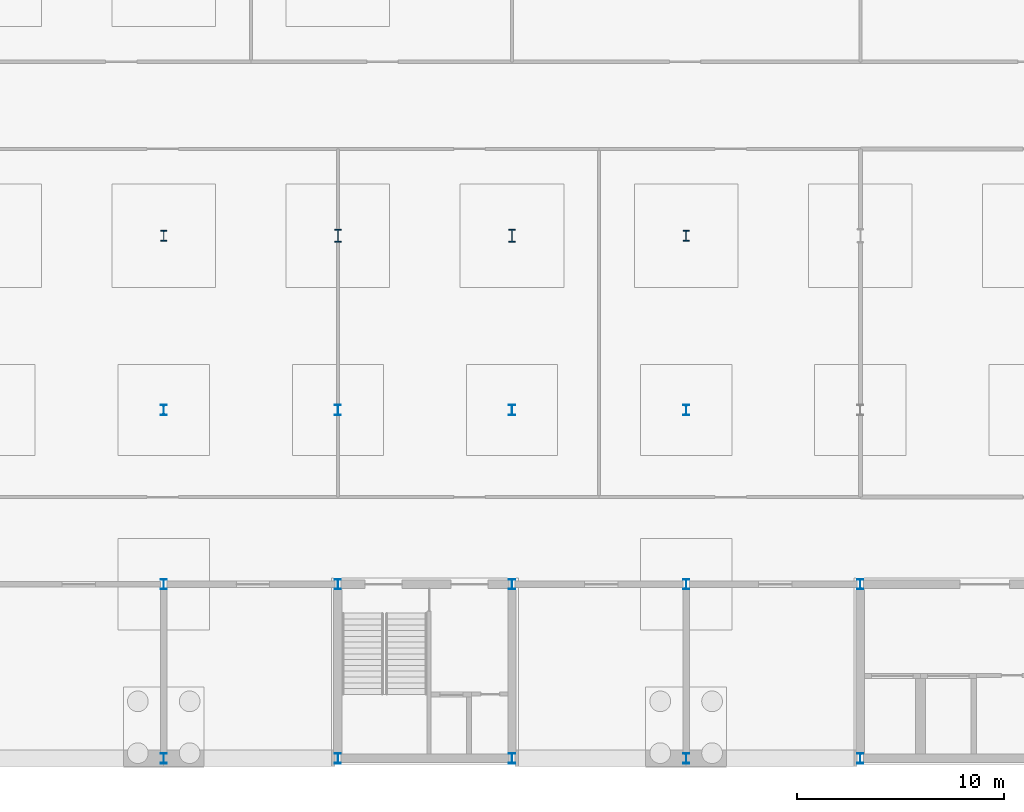
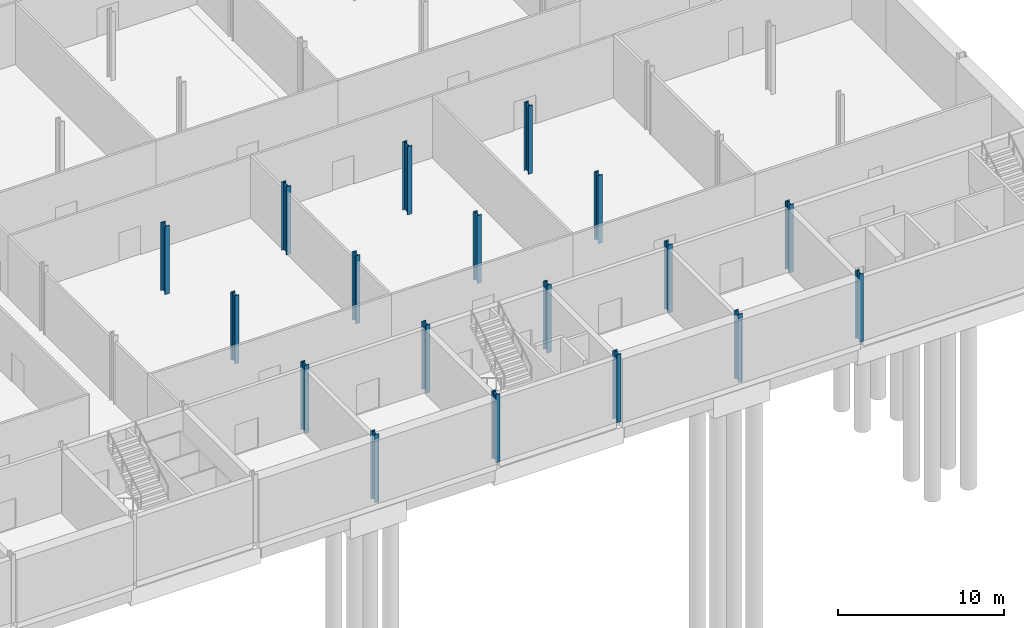
# One storey, part 7 of 22: 18 columns.
"""IFC4 building model written with IfcOpenShell, lengths in metres."""

import ifcopenshell
import ifcopenshell.guid

model = None  # the IFC model being written
_history = None  # IfcOwnerHistory: only IFC2X3 demands one
_inside = {}  # id of a spatial element -> (the spatial element, [elements in it])
_under = {}  # id of a project, library or spatial element -> (it, [spatial elements below it])
_declared = {}  # id of a project -> (the project, [libraries it declares])
_typed = {}  # id of a type object -> (the type object, [elements of that type])
_made_of = {}  # id of a material, layer set ... -> (it, [elements and type objects made of it])


def new_model(schema):
    """Start an empty IFC model of exactly this schema.

    Asked for "IFC4X3", IfcOpenShell would pick the latest addendum, in which some entities
    have other attributes; the version numbers below select the first issue.
    IFC2X3 requires an IfcOwnerHistory on every rooted entity: one is made here for all.
    """
    global model, _history
    if schema == "IFC4X3":
        model = ifcopenshell.file(schema_version=(4, 3, 0, 0))
    else:
        model = ifcopenshell.file(schema=schema)
    _inside.clear()
    _under.clear()
    _declared.clear()
    _typed.clear()
    _made_of.clear()
    _history = None
    if model.schema == "IFC2X3":
        org = make("IfcOrganization", Name="unknown")
        user = make(
            "IfcPersonAndOrganization",
            ThePerson=make("IfcPerson", FamilyName="unknown"),
            TheOrganization=org,
        )
        app = make(
            "IfcApplication",
            ApplicationDeveloper=org,
            Version="unknown",
            ApplicationFullName="unknown",
            ApplicationIdentifier="unknown",
        )
        _history = make(
            "IfcOwnerHistory",
            OwningUser=user,
            OwningApplication=app,
            ChangeAction="ADDED",
            CreationDate=0,
        )
    return model


def make(cls, **values):
    """One entity of the class cls with the attributes given. An attribute that is None is left unset."""
    return model.create_entity(
        cls, **{name: value for name, value in values.items() if value is not None}
    )


def rooted(cls, **values):
    """An entity with a GlobalId (a new one), such as an element, a storey or a relation."""
    return make(cls, GlobalId=ifcopenshell.guid.new(), OwnerHistory=_history, **values)


def si_unit(unit_type, name, prefix=None):
    """IfcSIUnit, for example si_unit("LENGTHUNIT", "METRE", prefix="MILLI")."""
    return make("IfcSIUnit", UnitType=unit_type, Prefix=prefix, Name=name)


def assignment(units):
    """IfcUnitAssignment: the units of a project."""
    return None if units is None else make("IfcUnitAssignment", Units=units)


def point(xyz):
    """IfcCartesianPoint."""
    return None if xyz is None else make("IfcCartesianPoint", Coordinates=xyz)


def direction(xyz):
    """IfcDirection."""
    return None if xyz is None else make("IfcDirection", DirectionRatios=xyz)


def frame(location, z_axis=None, x_axis=None):
    """IfcAxis2Placement3D, a coordinate frame: its origin and axes. An axis left out is left unset."""
    return make(
        "IfcAxis2Placement3D",
        Location=point(location),
        Axis=direction(z_axis),
        RefDirection=direction(x_axis),
    )


def frame_2d(location, x_axis=None):
    """IfcAxis2Placement2D, a coordinate frame in the plane: its origin and x axis."""
    return make(
        "IfcAxis2Placement2D", Location=point(location), RefDirection=direction(x_axis)
    )


def origin():
    """The frame at (0, 0, 0) with its axes left unset."""
    return frame((0.0, 0.0, 0.0))


def origin_2d():
    """The frame at (0, 0) in the plane with its x axis left unset."""
    return frame_2d((0.0, 0.0))


def place(relative_to, where):
    """IfcLocalPlacement: puts the frame where relative to a parent placement (None: the world)."""
    return make(
        "IfcLocalPlacement", PlacementRelTo=relative_to, RelativePlacement=where
    )


def context(
    kind, dimensions, precision=None, world=None, true_north=None, identifier=None
):
    """IfcGeometricRepresentationContext, for example the 3D "Model" context."""
    return make(
        "IfcGeometricRepresentationContext",
        ContextIdentifier=identifier,
        ContextType=kind,
        CoordinateSpaceDimension=dimensions,
        Precision=precision,
        WorldCoordinateSystem=world,
        TrueNorth=true_north,
    )


def subcontext(parent, identifier, kind, view, scale=None):
    """IfcGeometricRepresentationSubContext, for example "Body" below "Model"."""
    return make(
        "IfcGeometricRepresentationSubContext",
        ContextIdentifier=identifier,
        ContextType=kind,
        ParentContext=parent,
        TargetScale=scale,
        TargetView=view,
    )


def project(units=None, contexts=None):
    """IfcProject with its units and contexts."""
    return rooted(
        "IfcProject",
        Name="project",
        RepresentationContexts=contexts,
        UnitsInContext=assignment(units),
    )


def spatial(cls, under=None, at=None, **own):
    """A site, building, storey or space (cls), placed at a placement, below another one or the project."""
    s = rooted(cls, ObjectPlacement=at, **own)
    if under is not None:
        _under.setdefault(under.id(), (under, []))[1].append(s)
    return s


def profile(cls, at=None, kind="AREA", **sizes):
    """A parametric profile (cls). Its sizes go by their IFC names, for example OverallWidth=200.0."""
    return make(cls, ProfileType=kind, Position=at, **sizes)


def i_section(**sizes):
    """IfcIShapeProfileDef."""
    return profile("IfcIShapeProfileDef", **sizes)


def extrude(swept, where, along, depth):
    """IfcExtrudedAreaSolid: the profile swept, set in the frame where, extruded along a direction by depth."""
    return make(
        "IfcExtrudedAreaSolid",
        SweptArea=swept,
        Position=where,
        ExtrudedDirection=direction(along),
        Depth=depth,
    )


def shape(context_of_items, identifier, shape_type, items):
    """IfcShapeRepresentation: the items that make up one representation, for example the "Body"."""
    return make(
        "IfcShapeRepresentation",
        ContextOfItems=context_of_items,
        RepresentationIdentifier=identifier,
        RepresentationType=shape_type,
        Items=items,
    )


def material(Name=None, Category=None):
    """IfcMaterial."""
    return make("IfcMaterial", Name=Name, Category=Category)


def material_profile(
    of_material, cross_section, Name=None, Category=None, Priority=None
):
    """IfcMaterialProfile: a cross section and its material."""
    return make(
        "IfcMaterialProfile",
        Name=Name,
        Material=of_material,
        Profile=cross_section,
        Priority=Priority,
        Category=Category,
    )


def profile_set(profiles, Name=None, composite=None):
    """IfcMaterialProfileSet."""
    return make(
        "IfcMaterialProfileSet",
        Name=Name,
        MaterialProfiles=profiles,
        CompositeProfile=composite,
    )


def made_of(thing, what):
    """Note that an element or type object is made of a material, layer set ...; save() writes the relation."""
    if what is not None:
        _made_of.setdefault(what.id(), (what, []))[1].append(thing)
    return thing


def type_object(cls, material=None, **own):
    """A type object (cls), such as IfcWallType, which elements share."""
    return made_of(rooted(cls, **own), material)


def element(
    cls,
    number,
    at=None,
    inside=None,
    cuts=None,
    type_object=None,
    material=None,
    context=None,
    identifier="Body",
    shape_type=None,
    held_by="IfcProductDefinitionShape",
    body=None,
    shapes=None,
    **own,
):
    """One element of the class cls, such as IfcWall. Its Tag is "e" and its number.

    at: its placement. inside: the storey or other place that contains it. cuts: it is an
    opening in that element (IfcRelVoidsElement). A single representation is given by context,
    identifier, shape_type and body (its items); several are given by shapes. held_by: the class
    of the entity that holds the representations. save() writes the other relations.
    """
    e = rooted(cls, Tag="e%d" % number, ObjectPlacement=at, **own)
    if body is not None:
        shapes = [shape(context, identifier, shape_type, body)]
    if shapes is not None:
        e.Representation = make(held_by, Representations=shapes)
    if inside is not None:
        _inside.setdefault(inside.id(), (inside, []))[1].append(e)
    if cuts is not None:
        rooted(
            "IfcRelVoidsElement", RelatingBuildingElement=cuts, RelatedOpeningElement=e
        )
    if type_object is not None:
        _typed.setdefault(type_object.id(), (type_object, []))[1].append(e)
    return made_of(e, material)


def aggregate(whole, parts):
    """IfcRelAggregates: a whole, such as a stair, and the parts it consists of."""
    return rooted("IfcRelAggregates", RelatingObject=whole, RelatedObjects=parts)


def save(model, path):
    """Write the relations noted so far, then the file.

    IfcRelAggregates (storeys below a building ...), IfcRelContainedInSpatialStructure (elements
    in a storey), IfcRelDefinesByType, IfcRelAssociatesMaterial and IfcRelDeclares: one each for
    every whole, place, type object, material and project.
    """
    for whole, parts in _under.values():
        aggregate(whole, parts)
    for where, things in _inside.values():
        rooted(
            "IfcRelContainedInSpatialStructure",
            RelatedElements=things,
            RelatingStructure=where,
        )
    for kind, things in _typed.values():
        rooted("IfcRelDefinesByType", RelatedObjects=things, RelatingType=kind)
    for what, things in _made_of.values():
        rooted("IfcRelAssociatesMaterial", RelatedObjects=things, RelatingMaterial=what)
    for by, libraries in _declared.values():
        rooted("IfcRelDeclares", RelatingContext=by, RelatedDefinitions=libraries)
    model.write(path)


model = new_model("IFC4")

# Units and contexts
model_context = context("Model", 3, precision=1e-05, world=origin(), true_north=direction((0.0, 1.0)))
body_context = subcontext(model_context, "Body", "Model", "MODEL_VIEW")
ifc_project = project(units=[si_unit("LENGTHUNIT", "METRE"), si_unit("AREAUNIT", "SQUARE_METRE"), si_unit("VOLUMEUNIT", "CUBIC_METRE"), si_unit("PLANEANGLEUNIT", "RADIAN"), si_unit("MASSUNIT", "GRAM", prefix="KILO")], contexts=[model_context])

# Site, building, storey
site_placement = place(None, origin())
site = spatial("IfcSite", under=ifc_project, at=site_placement, CompositionType="ELEMENT")
building_placement = place(site_placement, origin())
building = spatial("IfcBuilding", under=site, at=building_placement, Name="Galleria Vessillo Department Store", CompositionType="ELEMENT")
storey_placement = place(building_placement, frame((0.0, 0.0, -9.89990234375)))
storey = spatial("IfcBuildingStorey", under=building, at=storey_placement, Name="B2", CompositionType="ELEMENT", Elevation=-9.89990234375)

# Columns
ifc_material_1 = material(Name="Steel S355 J2", Category="steel")
ifc_material_profile_1 = material_profile(ifc_material_1, i_section(OverallWidth=0.300048828125, OverallDepth=0.5, WebThickness=0.014404296875, FlangeThickness=0.028076171875, FilletRadius=0.027099609375, at=origin_2d()), Name="HEB 500")
ifc_profile_set_1 = profile_set([ifc_material_profile_1], Name="Steel S355 J2")
column_type_1 = type_object("IfcColumnType", Name="Steel column HEB 500 CP1", PredefinedType="COLUMN", material=ifc_profile_set_1)
for number, where, z_axis, x_axis, name in (
    (1, (67.199951171875, 0.0, 0.0), (0.0, 0.0, 1.0), (1.0, 0.0, 0.0), "S-COL-B2-9-A"),
    (2, (67.199951171875, 8.39990234375, 0.0), (0.0, 0.0, 1.0), (1.0, 0.0, 0.0), "S-COL-B2-9-B"),
    (3, (67.199951171875, 16.800048828125, 0.0), (0.0, 0.0, 1.0), (1.0, 0.0, 0.0), "S-COL-B2-9-C"),
    (4, (75.60009765625, 0.0, 0.0), (0.0, 0.0, 1.0), (1.0, 0.0, 0.0), "S-COL-B2-10-A"),
    (5, (75.60009765625, 8.39990234375, 0.0), (0.0, 0.0, 1.0), (1.0, 0.0, 0.0), "S-COL-B2-10-B"),
    (6, (75.60009765625, 16.800048828125, 0.0), (0.0, 0.0, 1.0), (1.0, 0.0, 0.0), "S-COL-B2-10-C"),
    (7, (84.0, 0.0, 0.0), (0.0, 0.0, 1.0), (1.0, 0.0, 0.0), "S-COL-B2-11-A"),
    (8, (84.0, 8.39990234375, 0.0), (0.0, 0.0, 1.0), (1.0, 0.0, 0.0), "S-COL-B2-11-B"),
    (9, (84.0, 16.800048828125, 0.0), (0.0, 0.0, 1.0), (1.0, 0.0, 0.0), "S-COL-B2-11-C"),
    (10, (92.39990234375, 0.0, 0.0), (0.0, 0.0, 1.0), (1.0, 0.0, 0.0), "S-COL-B2-12-A"),
    (11, (92.39990234375, 8.39990234375, 0.0), (0.0, 0.0, 1.0), (1.0, 0.0, 0.0), "S-COL-B2-12-B"),
    (12, (92.39990234375, 16.800048828125, 0.0), (0.0, 0.0, 1.0), (1.0, 0.0, 0.0), "S-COL-B2-12-C"),
    (13, (100.800048828125, 0.0, 0.0), (0.0, 0.0, 1.0), (1.0, 0.0, 0.0), "S-COL-B2-13-A"),
    (14, (100.800048828125, 8.39990234375, 0.0), (0.0, 0.0, 1.0), (1.0, 0.0, 0.0), "S-COL-B2-13-B"),
):
    element("IfcColumn", number, at=place(storey_placement, frame(where, z_axis=z_axis, x_axis=x_axis)), inside=storey, type_object=column_type_1, Name=name, PredefinedType="COLUMN", context=body_context, shape_type="SweptSolid", body=[
        extrude(i_section(OverallWidth=0.300048828125, OverallDepth=0.5, WebThickness=0.014404296875, FlangeThickness=0.028076171875, FilletRadius=0.027099609375, at=origin_2d()), origin(), (0.0, 0.0, 1.0), 5.0),
    ])
ifc_material_2 = material(Name="Steel S355 J2", Category="steel")
ifc_material_profile_2 = material_profile(ifc_material_2, i_section(OverallWidth=0.305908203125, OverallDepth=0.52392578125, WebThickness=0.02099609375, FlangeThickness=0.0400390625, FilletRadius=0.027099609375, at=origin_2d()), Name="HEM 500")
ifc_profile_set_2 = profile_set([ifc_material_profile_2], Name="Steel S355 J2")
column_type_2 = type_object("IfcColumnType", Name="Steel column HEM 500 CV1", PredefinedType="COLUMN", material=ifc_profile_set_2)
for number, where, z_axis, x_axis, name in (
    (15, (67.199951171875, 25.199951171875, 0.0), (0.0, 0.0, 1.0), (1.0, 0.0, 0.0), "S-COL-B2-9-D"),
    (16, (92.39990234375, 25.199951171875, 0.0), (0.0, 0.0, 1.0), (1.0, 0.0, 0.0), "S-COL-B2-12-D"),
):
    element("IfcColumn", number, at=place(storey_placement, frame(where, z_axis=z_axis, x_axis=x_axis)), inside=storey, type_object=column_type_2, Name=name, PredefinedType="COLUMN", context=body_context, shape_type="SweptSolid", body=[
        extrude(i_section(OverallWidth=0.305908203125, OverallDepth=0.52392578125, WebThickness=0.02099609375, FlangeThickness=0.0400390625, FilletRadius=0.027099609375, at=origin_2d()), origin(), (0.0, 0.0, 1.0), 5.0),
    ])
ifc_material_3 = material(Name="Steel S355 J2", Category="steel")
ifc_material_profile_3 = material_profile(ifc_material_3, i_section(OverallWidth=0.304931640625, OverallDepth=0.6201171875, WebThickness=0.02099609375, FlangeThickness=0.0400390625, FilletRadius=0.027099609375, at=origin_2d()), Name="HEM 600")
ifc_profile_set_3 = profile_set([ifc_material_profile_3], Name="Steel S355 J2")
column_type_3 = type_object("IfcColumnType", Name="Steel column HEM 600 CV2", PredefinedType="COLUMN", material=ifc_profile_set_3)
for number, where, z_axis, x_axis, name in (
    (17, (75.60009765625, 25.199951171875, 0.0), (0.0, 0.0, 1.0), (1.0, 0.0, 0.0), "S-COL-B2-10-D"),
    (18, (84.0, 25.199951171875, 0.0), (0.0, 0.0, 1.0), (1.0, 0.0, 0.0), "S-COL-B2-11-D"),
):
    element("IfcColumn", number, at=place(storey_placement, frame(where, z_axis=z_axis, x_axis=x_axis)), inside=storey, type_object=column_type_3, Name=name, PredefinedType="COLUMN", context=body_context, shape_type="SweptSolid", body=[
        extrude(i_section(OverallWidth=0.304931640625, OverallDepth=0.6201171875, WebThickness=0.02099609375, FlangeThickness=0.0400390625, FilletRadius=0.027099609375, at=origin_2d()), origin(), (0.0, 0.0, 1.0), 5.0),
    ])

save(model, "model.ifc")
